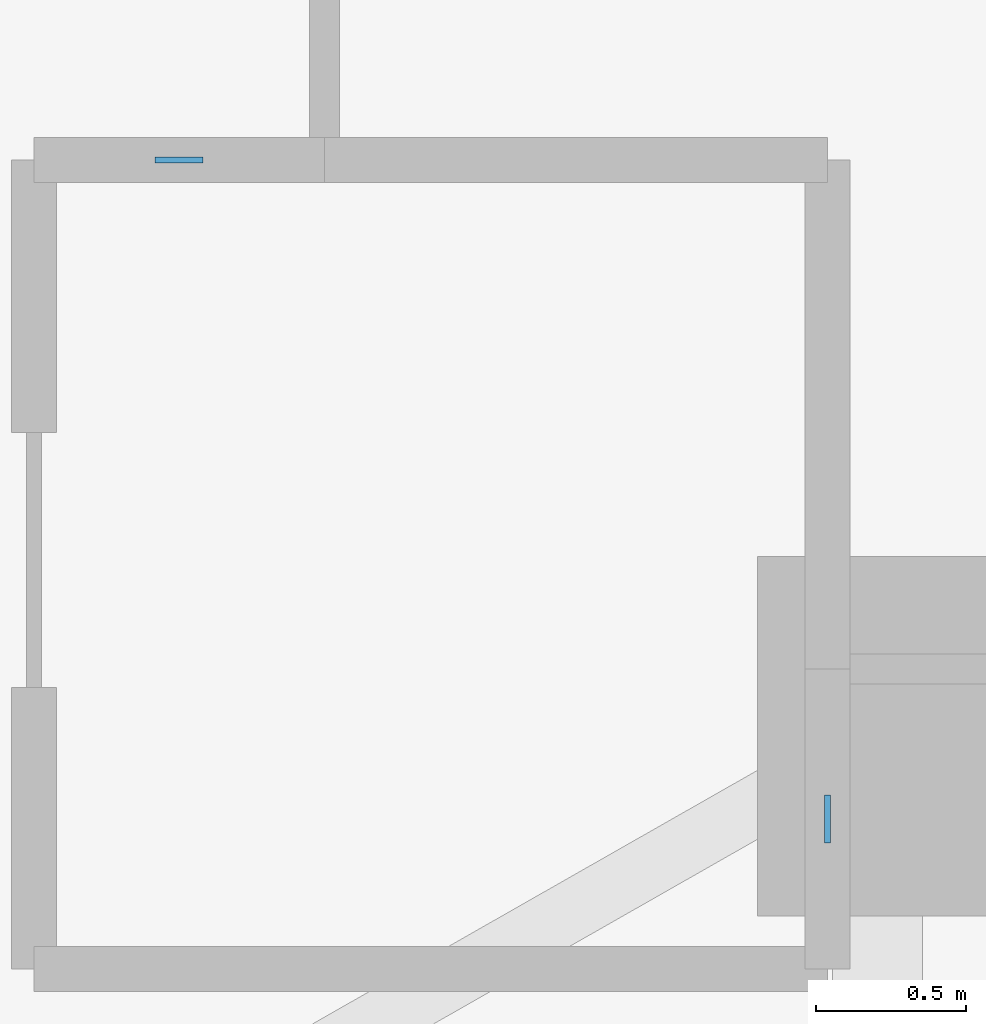
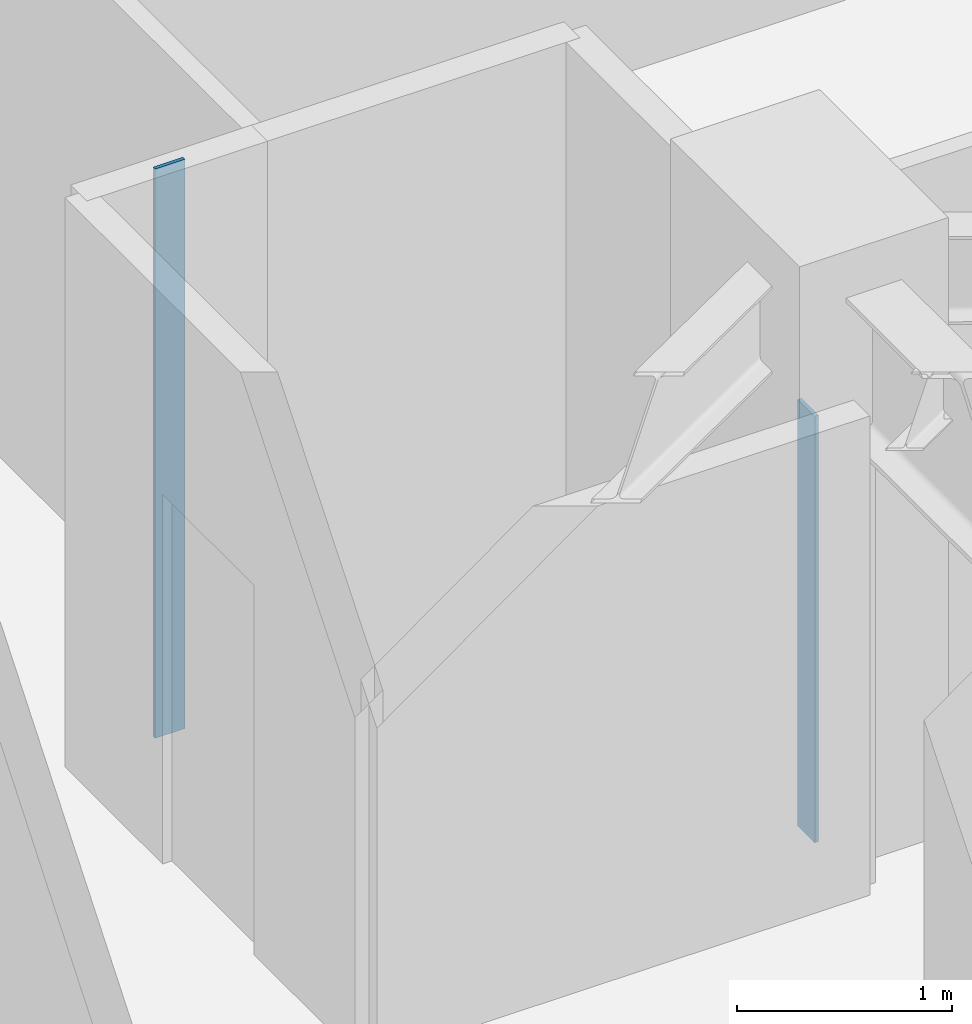
# One storey, part 3 of 10: 2 plates.
"""IFC4 building model written with IfcOpenShell, lengths in metres."""

from ifc_helpers import new_model, si_unit, direction, frame, origin, origin_2d, place, context, subcontext, project, spatial, rectangle, extrude, material, layer, layer_set, type_object, element, save


model = new_model("IFC4")

# Units and contexts
model_context = context("Model", 3, precision=1e-05, world=origin(), true_north=direction((0.0, 1.0)))
body_context = subcontext(model_context, "Body", "Model", "MODEL_VIEW")
ifc_project = project(units=[si_unit("LENGTHUNIT", "METRE"), si_unit("AREAUNIT", "SQUARE_METRE"), si_unit("VOLUMEUNIT", "CUBIC_METRE"), si_unit("PLANEANGLEUNIT", "RADIAN"), si_unit("MASSUNIT", "GRAM", prefix="KILO")], contexts=[model_context])

# Site, building, storey
site_placement = place(None, origin())
site = spatial("IfcSite", under=ifc_project, at=site_placement, CompositionType="ELEMENT")
building_placement = place(site_placement, origin())
building = spatial("IfcBuilding", under=site, at=building_placement, Name="Miruveldt Soraemaru", CompositionType="ELEMENT")
storey_placement = place(building_placement, frame((0.0, 0.0, 121.39990234375)))
storey = spatial("IfcBuildingStorey", under=building, at=storey_placement, Name="L33", CompositionType="ELEMENT", Elevation=121.39990234375)

# Plates
ifc_material = material(Name="Anodised aluminium EN AW-6063 T6", Category="aluminium")
ifc_layer = layer(ifc_material, 0.02001953125, Name="Anodised aluminium EN AW-6063 T6", Category="aluminium")
ifc_layer_set = layer_set([ifc_layer], Name="Anodised aluminium EN AW-6063 T6")
plate_type = type_object("IfcPlateType", Name="PLT-PART-TRIM", PredefinedType="SHEET", material=ifc_layer_set)
plate_1_placement = place(storey_placement, frame((43.8330078125, 59.83056640625, 0.0), z_axis=(0.0, 0.0, 1.0), x_axis=(0.0, 1.0, 0.0)))
element("IfcPlate", 1, at=plate_1_placement, inside=storey, type_object=plate_type, Name="L33 Partition Step Corner Trim Plate 018", PredefinedType="SHEET", context=body_context, shape_type="SweptSolid", body=[
    extrude(rectangle(XDim=0.159912109375, YDim=0.02001953125, at=origin_2d()), origin(), (0.0, 0.0, 1.0), 2.423095703125),
])
plate_2_placement = place(storey_placement, frame((41.66796875, 62.030029296875, 0.0), z_axis=(0.0, 0.0, 1.0), x_axis=(-1.0, 0.0, 0.0)))
element("IfcPlate", 2, at=plate_2_placement, inside=storey, type_object=plate_type, Name="L33 Partition Step Corner Trim Plate 019", PredefinedType="SHEET", context=body_context, shape_type="SweptSolid", body=[
    extrude(rectangle(XDim=0.159912109375, YDim=0.02001953125, at=origin_2d()), origin(), (0.0, 0.0, 1.0), 3.235107421875),
])

save(model, "model.ifc")
